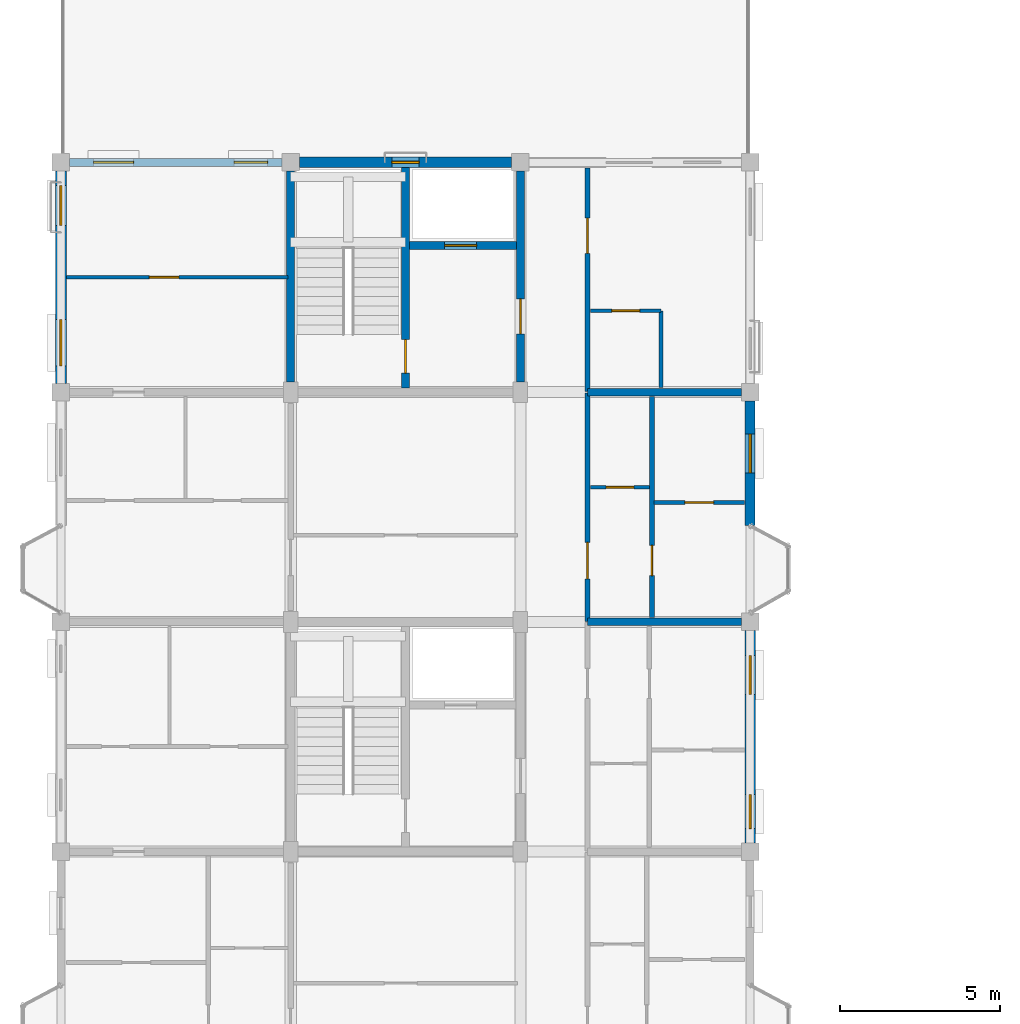
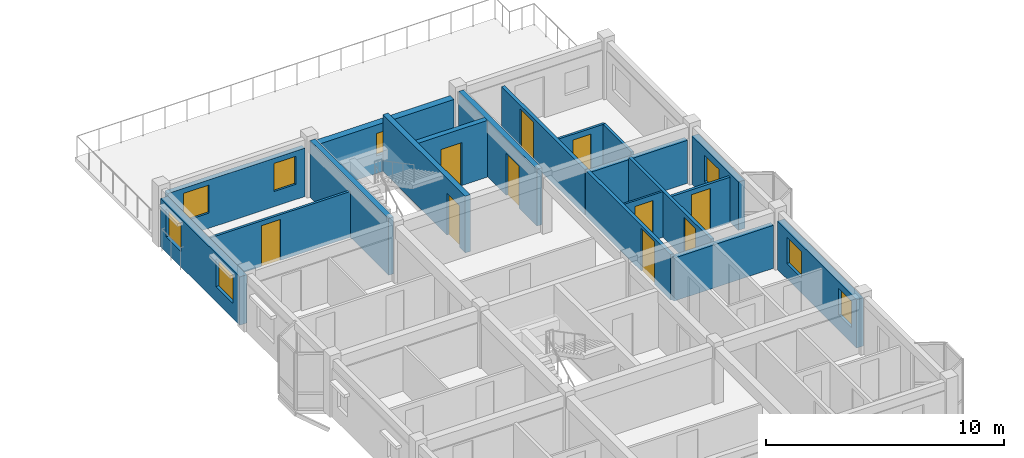
# One storey, part 52 of 75: 19 walls, 10 doors, 8 windows, 18 openings.
"""IFC4 building model written with IfcOpenShell, lengths in metres."""

from ifc_helpers import new_model, si_unit, direction, frame, frame_2d, origin, place, context, subcontext, project, spatial, rectangle, extrude, material, layer, layer_set, type_object, element, fill, save


model = new_model("IFC4")

# Units and contexts
model_context = context("Model", 3, precision=1e-05, world=origin(), true_north=direction((0.0, 1.0)))
body_context = subcontext(model_context, "Body", "Model", "MODEL_VIEW")
ifc_project = project(units=[si_unit("LENGTHUNIT", "METRE"), si_unit("AREAUNIT", "SQUARE_METRE"), si_unit("VOLUMEUNIT", "CUBIC_METRE"), si_unit("PLANEANGLEUNIT", "RADIAN"), si_unit("MASSUNIT", "GRAM", prefix="KILO"), si_unit("THERMODYNAMICTEMPERATUREUNIT", "KELVIN"), si_unit("POWERUNIT", "WATT")], contexts=[model_context])

# Site, building, storey
site_placement = place(None, origin())
site = spatial("IfcSite", under=ifc_project, at=site_placement, CompositionType="ELEMENT")
building_placement = place(site_placement, origin())
building = spatial("IfcBuilding", under=site, at=building_placement, Name="Tavuni Mirador Residences", CompositionType="ELEMENT")
storey_placement = place(building_placement, frame((0.0, 0.0, 20.25)))
storey = spatial("IfcBuildingStorey", under=building, at=storey_placement, Name="L06", CompositionType="ELEMENT", Elevation=20.25)

# Wall
ifc_material_1 = material(Name="Precast concrete C40/50", Category="concrete")
ifc_layer_1 = layer(ifc_material_1, 0.25, Name="Precast concrete C40/50", Category="concrete")
ifc_layer_set_1 = layer_set([ifc_layer_1], Name="Precast concrete C40/50")
wall_type_1 = type_object("IfcWallType", Name="WT-COR250", PredefinedType="SHEAR", material=ifc_layer_set_1)
wall_1_placement = place(storey_placement, frame((10.800048828125, 86.72509765625, 0.0), z_axis=(0.0, 0.0, 1.0), x_axis=(0.0, 1.0, 0.0)))
element("IfcWall", 1, at=wall_1_placement, inside=storey, type_object=wall_type_1, Name="CWALL-C4-L06-W", PredefinedType="SHEAR", context=body_context, shape_type="SweptSolid", body=[
    extrude(rectangle(XDim=6.599853515625, YDim=0.25, at=frame_2d((3.2998046875, 0.0))), origin(), (0.0, 0.0, 1.0), 2.909912109375),
])

# Wall, opening, door
wall_2_placement = place(storey_placement, frame((18.0, 86.72509765625, 0.0), z_axis=(0.0, 0.0, 1.0), x_axis=(0.0, 1.0, 0.0)))
wall_2 = element("IfcWall", 2, at=wall_2_placement, inside=storey, type_object=wall_type_1, Name="CWALL-C4-L06-E", PredefinedType="SHEAR", context=body_context, shape_type="SweptSolid", body=[
    extrude(rectangle(XDim=6.599853515625, YDim=0.25, at=frame_2d((3.2998046875, 0.0))), origin(), (0.0, 0.0, 1.0), 2.909912109375),
])
opening_1_placement = place(wall_2_placement, frame((1.5, 0.0, 0.0)))
opening_1 = element("IfcOpeningElement", 3, at=opening_1_placement, cuts=wall_2, Name="Opening D-02", PredefinedType="OPENING", context=body_context, shape_type="SweptSolid", body=[
    extrude(rectangle(XDim=1.10009765625, YDim=2.14990234375, at=frame_2d((0.550048828125, 1.074951171875))), frame((0.0, 0.135009765625, 0.0), z_axis=(0.0, -1.0, 0.0), x_axis=(1.0, 0.0, 0.0)), (0.0, 0.0, 1.0), 0.27001953125),
])
ifc_material_2 = material(Name="Solid core iroko timber", Category="wood")
door_type_1 = type_object("IfcDoorType", Name="DT-LOB1100", OperationType="NOTDEFINED", PredefinedType="DOOR", material=ifc_material_2)
door_1_placement = place(opening_1_placement, frame((1.10009765625, 0.0, 0.0), z_axis=(0.0, 0.0, 1.0), x_axis=(-1.0, 0.0, 0.0)))
door_1 = element("IfcDoor", 4, at=door_1_placement, inside=storey, type_object=door_type_1, Name="DR-2162", OperationType="SINGLE_SWING_LEFT", OverallHeight=2.14990234375, OverallWidth=1.10009765625, PredefinedType="DOOR", context=body_context, shape_type="SweptSolid", body=[
    extrude(rectangle(XDim=1.10009765625, YDim=2.14990234375, at=frame_2d((0.550048828125, 1.074951171875))), frame((0.0, 0.02490234375, 0.0), z_axis=(0.0, -1.0, 0.0), x_axis=(1.0, 0.0, 0.0)), (0.0, 0.0, 1.0), 0.050048828125),
])
fill(opening_1, door_1)

wall_3_placement = place(storey_placement, frame((14.39990234375, 86.52490234375, 0.0), z_axis=(0.0, 0.0, 1.0), x_axis=(0.0, 1.0, 0.0)))
wall_3 = element("IfcWall", 5, at=wall_3_placement, inside=storey, type_object=wall_type_1, Name="CWALL-C4-L06-MID", PredefinedType="SHEAR", context=body_context, shape_type="SweptSolid", body=[
    extrude(rectangle(XDim=6.9150390625, YDim=0.25, at=frame_2d((3.45751953125, 0.0))), origin(), (0.0, 0.0, 1.0), 2.909912109375),
])
opening_2_placement = place(wall_3_placement, frame((0.47509765625, 0.0, 0.0)))
opening_2 = element("IfcOpeningElement", 6, at=opening_2_placement, cuts=wall_3, Name="Opening D-01", PredefinedType="OPENING", context=body_context, shape_type="SweptSolid", body=[
    extrude(rectangle(XDim=1.050048828125, YDim=2.14990234375, at=frame_2d((0.52490234375, 1.074951171875))), frame((0.0, 0.135009765625, 0.0), z_axis=(0.0, -1.0, 0.0), x_axis=(1.0, 0.0, 0.0)), (0.0, 0.0, 1.0), 0.27001953125),
])
door_type_2 = type_object("IfcDoorType", Name="DT-ST1050", OperationType="NOTDEFINED", PredefinedType="DOOR", material=ifc_material_2)
door_2_placement = place(opening_2_placement, origin())
door_2 = element("IfcDoor", 7, at=door_2_placement, inside=storey, type_object=door_type_2, Name="DR-2163", OperationType="SINGLE_SWING_LEFT", OverallHeight=2.14990234375, OverallWidth=1.050048828125, PredefinedType="DOOR", context=body_context, shape_type="SweptSolid", body=[
    extrude(rectangle(XDim=1.050048828125, YDim=2.14990234375, at=frame_2d((0.52490234375, 1.074951171875))), frame((0.0, 0.02490234375, 0.0), z_axis=(0.0, -1.0, 0.0), x_axis=(1.0, 0.0, 0.0)), (0.0, 0.0, 1.0), 0.050048828125),
])
fill(opening_2, door_2)

wall_4_placement = place(storey_placement, frame((14.52490234375, 91.0, 0.0), z_axis=(0.0, 0.0, 1.0), x_axis=(1.0, 0.0, 0.0)))
wall_4 = element("IfcWall", 8, at=wall_4_placement, inside=storey, type_object=wall_type_1, Name="CWALL-C4-L06-SHF", PredefinedType="SHEAR", context=body_context, shape_type="SweptSolid", body=[
    extrude(rectangle(XDim=3.35009765625, YDim=0.25, at=frame_2d((1.675048828125, 0.0))), origin(), (0.0, 0.0, 1.0), 2.909912109375),
])
opening_3_placement = place(wall_4_placement, frame((1.10009765625, 0.0, 0.0)))
opening_3 = element("IfcOpeningElement", 9, at=opening_3_placement, cuts=wall_4, Name="Opening LD-02", PredefinedType="OPENING", context=body_context, shape_type="SweptSolid", body=[
    extrude(rectangle(XDim=1.0, YDim=2.199951171875, at=frame_2d((0.5, 1.10009765625))), frame((0.0, 0.135009765625, 0.0), z_axis=(0.0, -1.0, 0.0), x_axis=(1.0, 0.0, 0.0)), (0.0, 0.0, 1.0), 0.27001953125),
])
ifc_material_3 = material(Name="Structural steel S355", Category="steel")
door_type_3 = type_object("IfcDoorType", Name="DT-LD-PAX", OperationType="SLIDING_TO_LEFT", PredefinedType="DOOR", material=ifc_material_3)
door_3_placement = place(opening_3_placement, origin())
door_3 = element("IfcDoor", 10, at=door_3_placement, inside=storey, type_object=door_type_3, Name="Lift landing door PL-B2 L06", OperationType="SLIDING_TO_LEFT", OverallHeight=2.199951171875, OverallWidth=1.0, PredefinedType="DOOR", context=body_context, shape_type="SweptSolid", body=[
    extrude(rectangle(XDim=1.0, YDim=2.199951171875, at=frame_2d((0.5, 1.10009765625))), frame((0.0, 0.02490234375, 0.0), z_axis=(0.0, -1.0, 0.0), x_axis=(1.0, 0.0, 0.0)), (0.0, 0.0, 1.0), 0.050048828125),
])
fill(opening_3, door_3)

ifc_layer_2 = layer(ifc_material_1, 0.1650390625, Name="Precast concrete C40/50", Category="concrete")
ifc_layer_set_2 = layer_set([ifc_layer_2], Name="Precast concrete C40/50")
wall_type_2 = type_object("IfcWallType", Name="WT-CORR165", PredefinedType="PARTITIONING", material=ifc_layer_set_2)
wall_5_placement = place(storey_placement, frame((20.10009765625, 79.219970703125, 0.0), z_axis=(0.0, 0.0, 1.0), x_axis=(0.0, 1.0, 0.0)))
wall_5 = element("IfcWall", 11, at=wall_5_placement, inside=storey, type_object=wall_type_2, Name="CORW-BLK-B-L06-0-02", PredefinedType="PARTITIONING", context=body_context, shape_type="SweptSolid", body=[
    extrude(rectangle(XDim=7.159912109375, YDim=0.1650390625, at=frame_2d((3.580078125, 0.0))), origin(), (0.0, 0.0, 1.0), 2.344970703125),
])
opening_4_placement = place(wall_5_placement, frame((1.330078125, 0.0, 0.0)))
opening_4 = element("IfcOpeningElement", 12, at=opening_4_placement, cuts=wall_5, Name="Opening D-20", PredefinedType="OPENING", context=body_context, shape_type="SweptSolid", body=[
    extrude(rectangle(XDim=1.139892578125, YDim=2.179931640625, at=frame_2d((0.56982421875, 1.08984375))), frame((0.0, 0.092529296875, 0.0), z_axis=(0.0, -1.0, 0.0), x_axis=(1.0, 0.0, 0.0)), (0.0, 0.0, 1.0), 0.18505859375),
])
door_type_4 = type_object("IfcDoorType", Name="DT-FD60-1140", OperationType="NOTDEFINED", PredefinedType="DOOR", material=ifc_material_2)
door_4_placement = place(opening_4_placement, origin())
door_4 = element("IfcDoor", 13, at=door_4_placement, inside=storey, type_object=door_type_4, Name="DR-2579", OperationType="SINGLE_SWING_RIGHT", OverallHeight=2.179931640625, OverallWidth=1.139892578125, PredefinedType="DOOR", context=body_context, shape_type="SweptSolid", body=[
    extrude(rectangle(XDim=1.139892578125, YDim=2.179931640625, at=frame_2d((0.56982421875, 1.08984375))), frame((0.0, 0.02490234375, 0.0), z_axis=(0.0, -1.0, 0.0), x_axis=(1.0, 0.0, 0.0)), (0.0, 0.0, 1.0), 0.050048828125),
])
fill(opening_4, door_4)

wall_6_placement = place(storey_placement, frame((20.10009765625, 86.419921875, 0.0), z_axis=(0.0, 0.0, 1.0), x_axis=(0.0, 1.0, 0.0)))
wall_6 = element("IfcWall", 14, at=wall_6_placement, inside=storey, type_object=wall_type_2, Name="CORW-BLK-B-L06-0-03", PredefinedType="PARTITIONING", context=body_context, shape_type="SweptSolid", body=[
    extrude(rectangle(XDim=7.005126953125, YDim=0.1650390625, at=frame_2d((3.50244140625, 0.0))), origin(), (0.0, 0.0, 1.0), 2.344970703125),
])
opening_5_placement = place(wall_6_placement, frame((4.330078125, 0.0, 0.0)))
opening_5 = element("IfcOpeningElement", 15, at=opening_5_placement, cuts=wall_6, Name="Opening D-02", PredefinedType="OPENING", context=body_context, shape_type="SweptSolid", body=[
    extrude(rectangle(XDim=1.10009765625, YDim=2.14990234375, at=frame_2d((0.550048828125, 1.074951171875))), frame((0.0, 0.092529296875, 0.0), z_axis=(0.0, -1.0, 0.0), x_axis=(1.0, 0.0, 0.0)), (0.0, 0.0, 1.0), 0.18505859375),
])
door_5_placement = place(opening_5_placement, origin())
door_5 = element("IfcDoor", 16, at=door_5_placement, inside=storey, type_object=door_type_1, Name="DR-2580", OperationType="SINGLE_SWING_LEFT", OverallHeight=2.14990234375, OverallWidth=1.10009765625, PredefinedType="DOOR", context=body_context, shape_type="SweptSolid", body=[
    extrude(rectangle(XDim=1.10009765625, YDim=2.14990234375, at=frame_2d((0.550048828125, 1.074951171875))), frame((0.0, 0.02490234375, 0.0), z_axis=(0.0, -1.0, 0.0), x_axis=(1.0, 0.0, 0.0)), (0.0, 0.0, 1.0), 0.050048828125),
])
fill(opening_5, door_5)

# Wall, openings, windows
ifc_layer_3 = layer(ifc_material_1, 0.330078125, Name="Precast concrete C40/50", Category="concrete")
ifc_layer_set_3 = layer_set([ifc_layer_3], Name="Precast concrete C40/50")
wall_type_3 = type_object("IfcWallType", Name="WT-EXT-COR330", PredefinedType="SOLIDWALL", material=ifc_layer_set_3)
wall_7_placement = place(storey_placement, frame((25.199951171875, 72.27490234375, 0.0), z_axis=(0.0, 0.0, 1.0), x_axis=(0.0, 1.0, 0.0)))
wall_7 = element("IfcWall", 17, at=wall_7_placement, inside=storey, type_object=wall_type_3, Name="EW-BLK-B-L06-E01", PredefinedType="SOLIDWALL", context=body_context, shape_type="SweptSolid", body=[
    extrude(rectangle(XDim=6.650146484375, YDim=0.330078125, at=frame_2d((3.3251953125, 0.0))), origin(), (0.0, 0.0, 1.0), 2.47998046875),
])
opening_6_placement = place(wall_7_placement, frame((0.449951171875, 0.0, 0.780029296875)))
opening_6 = element("IfcOpeningElement", 18, at=opening_6_placement, cuts=wall_7, Name="Opening WN-19", PredefinedType="OPENING", context=body_context, shape_type="SweptSolid", body=[
    extrude(rectangle(XDim=1.06005859375, YDim=1.360107421875, at=frame_2d((0.530029296875, 0.68017578125))), frame((0.0, 0.175048828125, 0.0), z_axis=(0.0, -1.0, 0.0), x_axis=(1.0, 0.0, 0.0)), (0.0, 0.0, 1.0), 0.35009765625),
])
opening_7_placement = place(wall_7_placement, frame((4.64990234375, 0.0, 0.780029296875)))
opening_7 = element("IfcOpeningElement", 19, at=opening_7_placement, cuts=wall_7, Name="Opening WN-21", PredefinedType="OPENING", context=body_context, shape_type="SweptSolid", body=[
    extrude(rectangle(XDim=1.219970703125, YDim=1.360107421875, at=frame_2d((0.60986328125, 0.68017578125))), frame((0.0, 0.175048828125, 0.0), z_axis=(0.0, -1.0, 0.0), x_axis=(1.0, 0.0, 0.0)), (0.0, 0.0, 1.0), 0.35009765625),
])
ifc_material_4 = material(Name="Laminated solar-control glass", Category="glass")
window_type_1 = type_object("IfcWindowType", Name="WNT-19", PartitioningType="SINGLE_PANEL", PredefinedType="WINDOW", material=ifc_material_4)
window_1_placement = place(opening_6_placement, origin())
window_1 = element("IfcWindow", 20, at=window_1_placement, inside=storey, type_object=window_type_1, Name="WIN-0732", OverallHeight=1.360107421875, OverallWidth=1.06005859375, PartitioningType="SINGLE_PANEL", PredefinedType="WINDOW", context=body_context, shape_type="SweptSolid", body=[
    extrude(rectangle(XDim=1.06005859375, YDim=1.360107421875, at=frame_2d((0.530029296875, 0.68017578125))), frame((0.0, 0.030029296875, 0.0), z_axis=(0.0, -1.0, 0.0), x_axis=(1.0, 0.0, 0.0)), (0.0, 0.0, 1.0), 0.06005859375),
])
fill(opening_6, window_1)
window_type_2 = type_object("IfcWindowType", Name="WNT-21", PartitioningType="SINGLE_PANEL", PredefinedType="WINDOW", material=ifc_material_4)
window_2_placement = place(opening_7_placement, origin())
window_2 = element("IfcWindow", 21, at=window_2_placement, inside=storey, type_object=window_type_2, Name="WIN-0733", OverallHeight=1.360107421875, OverallWidth=1.219970703125, PartitioningType="SINGLE_PANEL", PredefinedType="WINDOW", context=body_context, shape_type="SweptSolid", body=[
    extrude(rectangle(XDim=1.219970703125, YDim=1.360107421875, at=frame_2d((0.60986328125, 0.68017578125))), frame((0.0, 0.030029296875, 0.0), z_axis=(0.0, -1.0, 0.0), x_axis=(1.0, 0.0, 0.0)), (0.0, 0.0, 1.0), 0.06005859375),
])
fill(opening_7, window_2)

# Wall, opening, window
wall_8_placement = place(storey_placement, frame((17.72509765625, 93.60009765625, 0.0), z_axis=(0.0, 0.0, 1.0), x_axis=(-1.0, 0.0, 0.0)))
wall_8 = element("IfcWall", 22, at=wall_8_placement, inside=storey, type_object=wall_type_3, Name="EW-BLK-B-L06-N01", PredefinedType="SOLIDWALL", context=body_context, shape_type="SweptSolid", body=[
    extrude(rectangle(XDim=6.650146484375, YDim=0.330078125, at=frame_2d((3.3251953125, 0.0))), origin(), (0.0, 0.0, 1.0), 2.47998046875),
])
opening_8_placement = place(wall_8_placement, frame((2.89990234375, 0.0, 0.89990234375)))
opening_8 = element("IfcOpeningElement", 23, at=opening_8_placement, cuts=wall_8, Name="Opening WN-01", PredefinedType="OPENING", context=body_context, shape_type="SweptSolid", body=[
    extrude(rectangle(XDim=0.85009765625, YDim=1.14990234375, at=frame_2d((0.425048828125, 0.574951171875))), frame((0.0, 0.175048828125, 0.0), z_axis=(0.0, -1.0, 0.0), x_axis=(1.0, 0.0, 0.0)), (0.0, 0.0, 1.0), 0.35009765625),
])
window_type_3 = type_object("IfcWindowType", Name="WNT-01", PartitioningType="SINGLE_PANEL", PredefinedType="WINDOW", material=ifc_material_4)
window_3_placement = place(opening_8_placement, origin())
window_3 = element("IfcWindow", 24, at=window_3_placement, inside=storey, type_object=window_type_3, Name="WIN-0738", OverallHeight=1.14990234375, OverallWidth=0.85009765625, PartitioningType="SINGLE_PANEL", PredefinedType="WINDOW", context=body_context, shape_type="SweptSolid", body=[
    extrude(rectangle(XDim=0.85009765625, YDim=1.14990234375, at=frame_2d((0.425048828125, 0.574951171875))), frame((0.0, 0.030029296875, 0.0), z_axis=(0.0, -1.0, 0.0), x_axis=(1.0, 0.0, 0.0)), (0.0, 0.0, 1.0), 0.06005859375),
])
fill(opening_8, window_3)

# Wall, openings, windows
ifc_material_5 = material(Name="Sgraffito lime-rendered precast concrete C40/50", Category="concrete")
ifc_layer_4 = layer(ifc_material_5, 0.2451171875, Name="Sgraffito lime-rendered precast concrete C40/50", Category="concrete")
ifc_layer_set_4 = layer_set([ifc_layer_4], Name="Sgraffito lime-rendered precast concrete C40/50")
wall_type_4 = type_object("IfcWallType", Name="WT-EXT-PC245", PredefinedType="SOLIDWALL", material=ifc_layer_set_4)
wall_9_placement = place(storey_placement, frame((10.52490234375, 93.60009765625, 0.0), z_axis=(0.0, 0.0, 1.0), x_axis=(-1.0, 0.0, 0.0)))
wall_9 = element("IfcWall", 25, at=wall_9_placement, inside=storey, type_object=wall_type_4, Name="EW-BLK-B-L06-N00", PredefinedType="SOLIDWALL", context=body_context, shape_type="SweptSolid", body=[
    extrude(rectangle(XDim=6.64990234375, YDim=0.2451171875, at=frame_2d((3.324951171875, 0.0))), origin(), (0.0, 0.0, 1.0), 2.47998046875),
])
opening_9_placement = place(wall_9_placement, frame((0.449951171875, 0.0, 0.780029296875)))
opening_9 = element("IfcOpeningElement", 26, at=opening_9_placement, cuts=wall_9, Name="Opening WN-26", PredefinedType="OPENING", context=body_context, shape_type="SweptSolid", body=[
    extrude(rectangle(XDim=1.050048828125, YDim=1.43994140625, at=frame_2d((0.52490234375, 0.719970703125))), frame((0.0, 0.132568359375, 0.0), z_axis=(0.0, -1.0, 0.0), x_axis=(1.0, 0.0, 0.0)), (0.0, 0.0, 1.0), 0.26513671875),
])
opening_10_placement = place(wall_9_placement, frame((4.64990234375, 0.0, 0.780029296875)))
opening_10 = element("IfcOpeningElement", 27, at=opening_10_placement, cuts=wall_9, Name="Opening WN-28", PredefinedType="OPENING", context=body_context, shape_type="SweptSolid", body=[
    extrude(rectangle(XDim=1.25, YDim=1.43994140625, at=frame_2d((0.625, 0.719970703125))), frame((0.0, 0.132568359375, 0.0), z_axis=(0.0, -1.0, 0.0), x_axis=(1.0, 0.0, 0.0)), (0.0, 0.0, 1.0), 0.26513671875),
])
window_type_4 = type_object("IfcWindowType", Name="WNT-26", PartitioningType="SINGLE_PANEL", PredefinedType="WINDOW", material=ifc_material_4)
window_4_placement = place(opening_9_placement, origin())
window_4 = element("IfcWindow", 28, at=window_4_placement, inside=storey, type_object=window_type_4, Name="WIN-0739", OverallHeight=1.43994140625, OverallWidth=1.050048828125, PartitioningType="SINGLE_PANEL", PredefinedType="WINDOW", context=body_context, shape_type="SweptSolid", body=[
    extrude(rectangle(XDim=1.050048828125, YDim=1.43994140625, at=frame_2d((0.52490234375, 0.719970703125))), frame((0.0, 0.030029296875, 0.0), z_axis=(0.0, -1.0, 0.0), x_axis=(1.0, 0.0, 0.0)), (0.0, 0.0, 1.0), 0.06005859375),
])
fill(opening_9, window_4)
window_type_5 = type_object("IfcWindowType", Name="WNT-28", PartitioningType="SINGLE_PANEL", PredefinedType="WINDOW", material=ifc_material_4)
window_5_placement = place(opening_10_placement, origin())
window_5 = element("IfcWindow", 29, at=window_5_placement, inside=storey, type_object=window_type_5, Name="WIN-0740", OverallHeight=1.43994140625, OverallWidth=1.25, PartitioningType="SINGLE_PANEL", PredefinedType="WINDOW", context=body_context, shape_type="SweptSolid", body=[
    extrude(rectangle(XDim=1.25, YDim=1.43994140625, at=frame_2d((0.625, 0.719970703125))), frame((0.0, 0.030029296875, 0.0), z_axis=(0.0, -1.0, 0.0), x_axis=(1.0, 0.0, 0.0)), (0.0, 0.0, 1.0), 0.06005859375),
])
fill(opening_10, window_5)

# Wall, opening, window
ifc_layer_5 = layer(ifc_material_5, 0.31494140625, Name="Sgraffito lime-rendered precast concrete C40/50", Category="concrete")
ifc_layer_set_5 = layer_set([ifc_layer_5], Name="Sgraffito lime-rendered precast concrete C40/50")
wall_type_5 = type_object("IfcWallType", Name="WT-EXT-PC315", PredefinedType="SOLIDWALL", material=ifc_layer_set_5)
wall_10_placement = place(storey_placement, frame((25.199951171875, 82.219970703125, 0.0), z_axis=(0.0, 0.0, 1.0), x_axis=(0.0, 1.0, 0.0)))
wall_10 = element("IfcWall", 30, at=wall_10_placement, inside=storey, type_object=wall_type_5, Name="EW-BLK-B-L06-E02", PredefinedType="SOLIDWALL", context=body_context, shape_type="SweptSolid", body=[
    extrude(rectangle(XDim=3.905029296875, YDim=0.31494140625, at=frame_2d((1.95263671875, 0.0))), origin(), (0.0, 0.0, 1.0), 2.47998046875),
])
opening_11_placement = place(wall_10_placement, frame((1.6474609375, 0.0, 0.780029296875)))
opening_11 = element("IfcOpeningElement", 31, at=opening_11_placement, cuts=wall_10, Name="Opening WN-21", PredefinedType="OPENING", context=body_context, shape_type="SweptSolid", body=[
    extrude(rectangle(XDim=1.219970703125, YDim=1.360107421875, at=frame_2d((0.60986328125, 0.68017578125))), frame((0.0, 0.16748046875, 0.0), z_axis=(0.0, -1.0, 0.0), x_axis=(1.0, 0.0, 0.0)), (0.0, 0.0, 1.0), 0.3349609375),
])
window_6_placement = place(opening_11_placement, origin())
window_6 = element("IfcWindow", 32, at=window_6_placement, inside=storey, type_object=window_type_2, Name="WIN-0734", OverallHeight=1.360107421875, OverallWidth=1.219970703125, PartitioningType="SINGLE_PANEL", PredefinedType="WINDOW", context=body_context, shape_type="SweptSolid", body=[
    extrude(rectangle(XDim=1.219970703125, YDim=1.360107421875, at=frame_2d((0.60986328125, 0.68017578125))), frame((0.0, 0.030029296875, 0.0), z_axis=(0.0, -1.0, 0.0), x_axis=(1.0, 0.0, 0.0)), (0.0, 0.0, 1.0), 0.06005859375),
])
fill(opening_11, window_6)

# Wall, openings, windows
ifc_layer_6 = layer(ifc_material_5, 0.344970703125, Name="Sgraffito lime-rendered precast concrete C40/50", Category="concrete")
ifc_layer_set_6 = layer_set([ifc_layer_6], Name="Sgraffito lime-rendered precast concrete C40/50")
wall_type_6 = type_object("IfcWallType", Name="WT-EXT-PTY345", PredefinedType="SOLIDWALL", material=ifc_layer_set_6)
wall_11_placement = place(storey_placement, frame((3.60009765625, 93.324951171875, 0.0), z_axis=(0.0, 0.0, 1.0), x_axis=(0.0, -1.0, 0.0)))
wall_11 = element("IfcWall", 33, at=wall_11_placement, inside=storey, type_object=wall_type_6, Name="EW-BLK-B-L06-W03", PredefinedType="SOLIDWALL", context=body_context, shape_type="SweptSolid", body=[
    extrude(rectangle(XDim=6.64990234375, YDim=0.344970703125, at=frame_2d((3.324951171875, 0.0))), origin(), (0.0, 0.0, 1.0), 2.47998046875),
])
opening_12_placement = place(wall_11_placement, frame((0.449951171875, 0.0, 0.780029296875)))
opening_12 = element("IfcOpeningElement", 34, at=opening_12_placement, cuts=wall_11, Name="Opening WN-28", PredefinedType="OPENING", context=body_context, shape_type="SweptSolid", body=[
    extrude(rectangle(XDim=1.25, YDim=1.43994140625, at=frame_2d((0.625, 0.719970703125))), frame((0.0, 0.1826171875, 0.0), z_axis=(0.0, -1.0, 0.0), x_axis=(1.0, 0.0, 0.0)), (0.0, 0.0, 1.0), 0.364990234375),
])
opening_13_placement = place(wall_11_placement, frame((4.64990234375, 0.0, 0.780029296875)))
opening_13 = element("IfcOpeningElement", 35, at=opening_13_placement, cuts=wall_11, Name="Opening WN-30", PredefinedType="OPENING", context=body_context, shape_type="SweptSolid", body=[
    extrude(rectangle(XDim=1.449951171875, YDim=1.43994140625, at=frame_2d((0.72509765625, 0.719970703125))), frame((0.0, 0.1826171875, 0.0), z_axis=(0.0, -1.0, 0.0), x_axis=(1.0, 0.0, 0.0)), (0.0, 0.0, 1.0), 0.364990234375),
])
window_7_placement = place(opening_12_placement, origin())
window_7 = element("IfcWindow", 36, at=window_7_placement, inside=storey, type_object=window_type_5, Name="WIN-0741", OverallHeight=1.43994140625, OverallWidth=1.25, PartitioningType="SINGLE_PANEL", PredefinedType="WINDOW", context=body_context, shape_type="SweptSolid", body=[
    extrude(rectangle(XDim=1.25, YDim=1.43994140625, at=frame_2d((0.625, 0.719970703125))), frame((0.0, 0.030029296875, 0.0), z_axis=(0.0, -1.0, 0.0), x_axis=(1.0, 0.0, 0.0)), (0.0, 0.0, 1.0), 0.06005859375),
])
fill(opening_12, window_7)
window_type_6 = type_object("IfcWindowType", Name="WNT-30", PartitioningType="SINGLE_PANEL", PredefinedType="WINDOW", material=ifc_material_4)
window_8_placement = place(opening_13_placement, origin())
window_8 = element("IfcWindow", 37, at=window_8_placement, inside=storey, type_object=window_type_6, Name="WIN-0742", OverallHeight=1.43994140625, OverallWidth=1.449951171875, PartitioningType="SINGLE_PANEL", PredefinedType="WINDOW", context=body_context, shape_type="SweptSolid", body=[
    extrude(rectangle(XDim=1.449951171875, YDim=1.43994140625, at=frame_2d((0.72509765625, 0.719970703125))), frame((0.0, 0.030029296875, 0.0), z_axis=(0.0, -1.0, 0.0), x_axis=(1.0, 0.0, 0.0)), (0.0, 0.0, 1.0), 0.06005859375),
])
fill(opening_13, window_8)

# Wall, opening, door
ifc_material_6 = material(Name="Acoustic gypsum and concrete block partition", Category="concrete")
ifc_layer_7 = layer(ifc_material_6, 0.094970703125, Name="Acoustic gypsum and concrete block partition", Category="concrete")
ifc_layer_set_7 = layer_set([ifc_layer_7], Name="Acoustic gypsum and concrete block partition")
wall_type_7 = type_object("IfcWallType", Name="WT-PART095", PredefinedType="PARTITIONING", material=ifc_layer_set_7)
wall_12_placement = place(storey_placement, frame((20.18994140625, 83.419921875, 0.0), z_axis=(0.0, 0.0, 1.0), x_axis=(1.0, 0.0, 0.0)))
wall_12 = element("IfcWall", 38, at=wall_12_placement, inside=storey, type_object=wall_type_7, Name="PW-BLK-B-L06-E02-IN1", PredefinedType="PARTITIONING", context=body_context, shape_type="SweptSolid", body=[
    extrude(rectangle(XDim=1.860107421875, YDim=0.094970703125, at=frame_2d((0.93017578125, 0.0))), origin(), (0.0, 0.0, 1.0), 2.344970703125),
])
opening_14_placement = place(wall_12_placement, frame((0.4951171875, 0.0, 0.0)))
opening_14 = element("IfcOpeningElement", 39, at=opening_14_placement, cuts=wall_12, Name="Opening D-10", PredefinedType="OPENING", context=body_context, shape_type="SweptSolid", body=[
    extrude(rectangle(XDim=0.8701171875, YDim=2.050048828125, at=frame_2d((0.43505859375, 1.02490234375))), frame((0.0, 0.0576171875, 0.0), z_axis=(0.0, -1.0, 0.0), x_axis=(1.0, 0.0, 0.0)), (0.0, 0.0, 1.0), 0.114990234375),
])
door_type_5 = type_object("IfcDoorType", Name="DT-WC870", OperationType="NOTDEFINED", PredefinedType="DOOR", material=ifc_material_2)
door_6_placement = place(opening_14_placement, origin())
door_6 = element("IfcDoor", 40, at=door_6_placement, inside=storey, type_object=door_type_5, Name="DR-3598", OperationType="SINGLE_SWING_RIGHT", OverallHeight=2.050048828125, OverallWidth=0.8701171875, PredefinedType="DOOR", context=body_context, shape_type="SweptSolid", body=[
    extrude(rectangle(XDim=0.8701171875, YDim=2.050048828125, at=frame_2d((0.43505859375, 1.02490234375))), frame((0.0, 0.02490234375, 0.0), z_axis=(0.0, -1.0, 0.0), x_axis=(1.0, 0.0, 0.0)), (0.0, 0.0, 1.0), 0.050048828125),
])
fill(opening_14, door_6)

ifc_layer_8 = layer(ifc_material_6, 0.114990234375, Name="Acoustic gypsum and concrete block partition", Category="concrete")
ifc_layer_set_8 = layer_set([ifc_layer_8], Name="Acoustic gypsum and concrete block partition")
wall_type_8 = type_object("IfcWallType", Name="WT-PART115", PredefinedType="PARTITIONING", material=ifc_layer_set_8)
wall_13_placement = place(storey_placement, frame((3.77490234375, 90.0, 0.0), z_axis=(0.0, 0.0, 1.0), x_axis=(1.0, 0.0, 0.0)))
wall_13 = element("IfcWall", 41, at=wall_13_placement, inside=storey, type_object=wall_type_8, Name="PW-BLK-B-L06-PF03-H", PredefinedType="PARTITIONING", context=body_context, shape_type="SweptSolid", body=[
    extrude(rectangle(XDim=6.93505859375, YDim=0.114990234375, at=frame_2d((3.467529296875, 0.0))), origin(), (0.0, 0.0, 1.0), 2.344970703125),
])
opening_15_placement = place(wall_13_placement, frame((2.60009765625, 0.0, 0.0)))
opening_15 = element("IfcOpeningElement", 42, at=opening_15_placement, cuts=wall_13, Name="Opening D-06", PredefinedType="OPENING", context=body_context, shape_type="SweptSolid", body=[
    extrude(rectangle(XDim=0.919921875, YDim=2.10009765625, at=frame_2d((0.4599609375, 1.050048828125))), frame((0.0, 0.0673828125, 0.0), z_axis=(0.0, -1.0, 0.0), x_axis=(1.0, 0.0, 0.0)), (0.0, 0.0, 1.0), 0.135009765625),
])
door_type_6 = type_object("IfcDoorType", Name="DT-INT920", OperationType="NOTDEFINED", PredefinedType="DOOR", material=ifc_material_2)
door_7_placement = place(opening_15_placement, origin())
door_7 = element("IfcDoor", 43, at=door_7_placement, inside=storey, type_object=door_type_6, Name="DR-3600", OperationType="SINGLE_SWING_RIGHT", OverallHeight=2.10009765625, OverallWidth=0.919921875, PredefinedType="DOOR", context=body_context, shape_type="SweptSolid", body=[
    extrude(rectangle(XDim=0.919921875, YDim=2.10009765625, at=frame_2d((0.4599609375, 1.050048828125))), frame((0.0, 0.02490234375, 0.0), z_axis=(0.0, -1.0, 0.0), x_axis=(1.0, 0.0, 0.0)), (0.0, 0.0, 1.0), 0.050048828125),
])
fill(opening_15, door_7)

wall_14_placement = place(storey_placement, frame((20.18994140625, 88.949951171875, 0.0), z_axis=(0.0, 0.0, 1.0), x_axis=(1.0, 0.0, 0.0)))
wall_14 = element("IfcWall", 44, at=wall_14_placement, inside=storey, type_object=wall_type_8, Name="PW-BLK-B-L06-E03-2", PredefinedType="PARTITIONING", context=body_context, shape_type="SweptSolid", body=[
    extrude(rectangle(XDim=2.2099609375, YDim=0.114990234375, at=frame_2d((1.10498046875, 0.0))), origin(), (0.0, 0.0, 1.0), 2.344970703125),
])
opening_16_placement = place(wall_14_placement, frame((0.679931640625, 0.0, 0.0)))
opening_16 = element("IfcOpeningElement", 45, at=opening_16_placement, cuts=wall_14, Name="Opening D-10", PredefinedType="OPENING", context=body_context, shape_type="SweptSolid", body=[
    extrude(rectangle(XDim=0.8701171875, YDim=2.050048828125, at=frame_2d((0.43505859375, 1.02490234375))), frame((0.0, 0.0673828125, 0.0), z_axis=(0.0, -1.0, 0.0), x_axis=(1.0, 0.0, 0.0)), (0.0, 0.0, 1.0), 0.135009765625),
])
door_8_placement = place(opening_16_placement, origin())
door_8 = element("IfcDoor", 46, at=door_8_placement, inside=storey, type_object=door_type_5, Name="DR-3601", OperationType="SINGLE_SWING_LEFT", OverallHeight=2.050048828125, OverallWidth=0.8701171875, PredefinedType="DOOR", context=body_context, shape_type="SweptSolid", body=[
    extrude(rectangle(XDim=0.8701171875, YDim=2.050048828125, at=frame_2d((0.43505859375, 1.02490234375))), frame((0.0, 0.02490234375, 0.0), z_axis=(0.0, -1.0, 0.0), x_axis=(1.0, 0.0, 0.0)), (0.0, 0.0, 1.0), 0.050048828125),
])
fill(opening_16, door_8)

ifc_layer_9 = layer(ifc_material_6, 0.125, Name="Acoustic gypsum and concrete block partition", Category="concrete")
ifc_layer_set_9 = layer_set([ifc_layer_9], Name="Acoustic gypsum and concrete block partition")
wall_type_9 = type_object("IfcWallType", Name="WT-PART125", PredefinedType="PARTITIONING", material=ifc_layer_set_9)
wall_15_placement = place(storey_placement, frame((22.18994140625, 82.93994140625, 0.0), z_axis=(0.0, 0.0, 1.0), x_axis=(1.0, 0.0, 0.0)))
wall_15 = element("IfcWall", 47, at=wall_15_placement, inside=storey, type_object=wall_type_9, Name="PW-BLK-B-L06-E02-OUT", PredefinedType="PARTITIONING", context=body_context, shape_type="SweptSolid", body=[
    extrude(rectangle(XDim=2.8349609375, YDim=0.125, at=frame_2d((1.41748046875, 0.0))), origin(), (0.0, 0.0, 1.0), 2.344970703125),
])
opening_17_placement = place(wall_15_placement, frame((0.967529296875, 0.0, 0.0)))
opening_17 = element("IfcOpeningElement", 48, at=opening_17_placement, cuts=wall_15, Name="Opening D-07", PredefinedType="OPENING", context=body_context, shape_type="SweptSolid", body=[
    extrude(rectangle(XDim=0.89990234375, YDim=2.10009765625, at=frame_2d((0.449951171875, 1.050048828125))), frame((0.0, 0.072509765625, 0.0), z_axis=(0.0, -1.0, 0.0), x_axis=(1.0, 0.0, 0.0)), (0.0, 0.0, 1.0), 0.14501953125),
])
door_type_7 = type_object("IfcDoorType", Name="DT-BED900", OperationType="NOTDEFINED", PredefinedType="DOOR", material=ifc_material_2)
door_9_placement = place(opening_17_placement, origin())
door_9 = element("IfcDoor", 49, at=door_9_placement, inside=storey, type_object=door_type_7, Name="DR-3597", OperationType="SINGLE_SWING_LEFT", OverallHeight=2.10009765625, OverallWidth=0.89990234375, PredefinedType="DOOR", context=body_context, shape_type="SweptSolid", body=[
    extrude(rectangle(XDim=0.89990234375, YDim=2.10009765625, at=frame_2d((0.449951171875, 1.050048828125))), frame((0.0, 0.02490234375, 0.0), z_axis=(0.0, -1.0, 0.0), x_axis=(1.0, 0.0, 0.0)), (0.0, 0.0, 1.0), 0.050048828125),
])
fill(opening_17, door_9)

# Wall
wall_16_placement = place(storey_placement, frame((22.39990234375, 86.5400390625, 0.0), z_axis=(0.0, 0.0, 1.0), x_axis=(0.0, 1.0, 0.0)))
element("IfcWall", 50, at=wall_16_placement, inside=storey, type_object=wall_type_9, Name="PW-BLK-B-L06-E03-1", PredefinedType="PARTITIONING", context=body_context, shape_type="SweptSolid", body=[
    extrude(rectangle(XDim=2.409912109375, YDim=0.125, at=frame_2d((1.205078125, 0.0))), origin(), (0.0, 0.0, 1.0), 2.344970703125),
])

# Wall, opening, door
ifc_layer_10 = layer(ifc_material_6, 0.14990234375, Name="Acoustic gypsum and concrete block partition", Category="concrete")
ifc_layer_set_10 = layer_set([ifc_layer_10], Name="Acoustic gypsum and concrete block partition")
wall_type_10 = type_object("IfcWallType", Name="WT-PART150", PredefinedType="PARTITIONING", material=ifc_layer_set_10)
wall_17_placement = place(storey_placement, frame((22.1201171875, 79.340087890625, 0.0), z_axis=(0.0, 0.0, 1.0), x_axis=(0.0, 1.0, 0.0)))
wall_17 = element("IfcWall", 51, at=wall_17_placement, inside=storey, type_object=wall_type_10, Name="PW-BLK-B-L06-E02-MID", PredefinedType="PARTITIONING", context=body_context, shape_type="SweptSolid", body=[
    extrude(rectangle(XDim=6.919921875, YDim=0.14990234375, at=frame_2d((3.4599609375, 0.0))), origin(), (0.0, 0.0, 1.0), 2.344970703125),
])
opening_18_placement = place(wall_17_placement, frame((1.31005859375, 0.0, 0.0)))
opening_18 = element("IfcOpeningElement", 52, at=opening_18_placement, cuts=wall_17, Name="Opening D-05", PredefinedType="OPENING", context=body_context, shape_type="SweptSolid", body=[
    extrude(rectangle(XDim=0.949951171875, YDim=2.10009765625, at=frame_2d((0.47509765625, 1.050048828125))), frame((0.0, 0.0849609375, 0.0), z_axis=(0.0, -1.0, 0.0), x_axis=(1.0, 0.0, 0.0)), (0.0, 0.0, 1.0), 0.169921875),
])
door_type_8 = type_object("IfcDoorType", Name="DT-INT950", OperationType="NOTDEFINED", PredefinedType="DOOR", material=ifc_material_2)
door_10_placement = place(opening_18_placement, origin())
door_10 = element("IfcDoor", 53, at=door_10_placement, inside=storey, type_object=door_type_8, Name="DR-3599", OperationType="SINGLE_SWING_LEFT", OverallHeight=2.10009765625, OverallWidth=0.949951171875, PredefinedType="DOOR", context=body_context, shape_type="SweptSolid", body=[
    extrude(rectangle(XDim=0.949951171875, YDim=2.10009765625, at=frame_2d((0.47509765625, 1.050048828125))), frame((0.0, 0.02490234375, 0.0), z_axis=(0.0, -1.0, 0.0), x_axis=(1.0, 0.0, 0.0)), (0.0, 0.0, 1.0), 0.050048828125),
])
fill(opening_18, door_10)

# Walls
ifc_layer_11 = layer(ifc_material_1, 0.235107421875, Name="Precast concrete C40/50", Category="concrete")
ifc_layer_set_11 = layer_set([ifc_layer_11], Name="Precast concrete C40/50")
wall_type_11 = type_object("IfcWallType", Name="WT-XW235", PredefinedType="SOLIDWALL", material=ifc_layer_set_11)
for number, where, z_axis, x_axis, name in (
    (54, (20.10009765625, 79.199951171875, 0.0), (0.0, 0.0, 1.0), (1.0, 0.0, 0.0), "XW-BLK-B-L06-E-02"),
    (55, (20.10009765625, 86.39990234375, 0.0), (0.0, 0.0, 1.0), (1.0, 0.0, 0.0), "XW-BLK-B-L06-E-03"),
):
    element("IfcWall", number, at=place(storey_placement, frame(where, z_axis=z_axis, x_axis=x_axis)), inside=storey, type_object=wall_type_11, Name=name, PredefinedType="SOLIDWALL", context=body_context, shape_type="SweptSolid", body=[
        extrude(rectangle(XDim=4.824951171875, YDim=0.235107421875, at=frame_2d((2.41259765625, 0.0))), origin(), (0.0, 0.0, 1.0), 2.2099609375),
    ])

save(model, "model.ifc")
